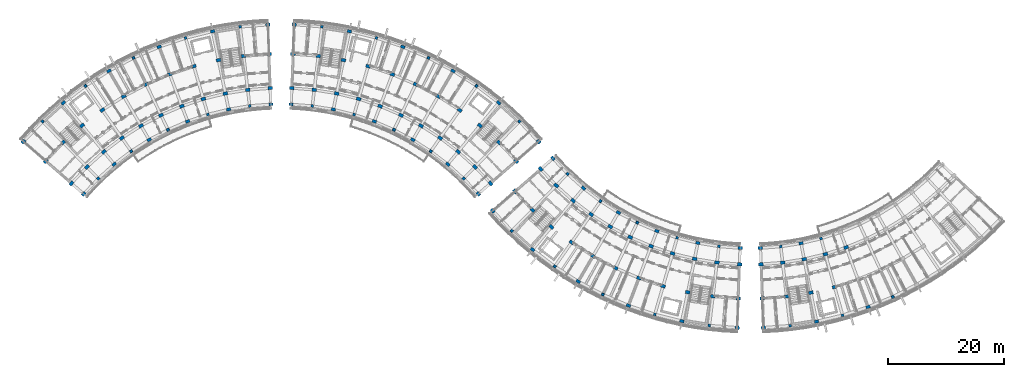
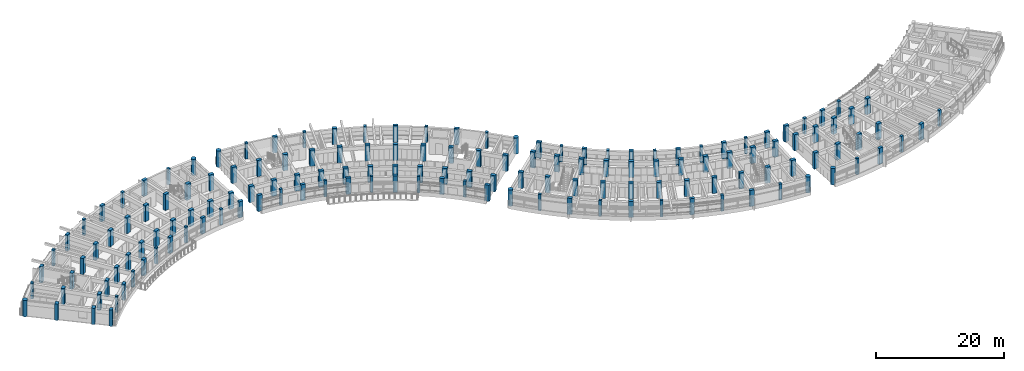
# One storey, part 1 of 56: 151 columns.
"""IFC4 building model written with IfcOpenShell, lengths in metres."""

from ifc_helpers import new_model, si_unit, direction, frame, origin, origin_2d, place, context, subcontext, project, spatial, rectangle, circle, extrude, material, material_profile, profile_set, type_object, element, save


model = new_model("IFC4")

# Units and contexts
model_context = context("Model", 3, precision=1e-05, world=origin(), true_north=direction((0.0, 1.0)))
body_context = subcontext(model_context, "Body", "Model", "MODEL_VIEW")
ifc_project = project(units=[si_unit("LENGTHUNIT", "METRE"), si_unit("AREAUNIT", "SQUARE_METRE"), si_unit("VOLUMEUNIT", "CUBIC_METRE"), si_unit("PLANEANGLEUNIT", "RADIAN"), si_unit("MASSUNIT", "GRAM", prefix="KILO")], contexts=[model_context])

# Site, building, storey
site_placement = place(None, origin())
site = spatial("IfcSite", under=ifc_project, at=site_placement, CompositionType="ELEMENT")
building_placement = place(site_placement, origin())
building = spatial("IfcBuilding", under=site, at=building_placement, Name="Zimvara Arc Housing Community", CompositionType="ELEMENT")
storey_placement = place(building_placement, frame((0.0, 0.0, 11.199951171875)))
storey = spatial("IfcBuildingStorey", under=building, at=storey_placement, Name="L03", CompositionType="ELEMENT", Elevation=11.199951171875)

# Columns
ifc_material_1 = material(Name="Concrete C40/50", Category="concrete")
ifc_material_profile_1 = material_profile(ifc_material_1, rectangle(XDim=0.449951171875, YDim=0.449951171875, at=origin_2d()), Name="RC 450x450")
ifc_profile_set_1 = profile_set([ifc_material_profile_1], Name="Concrete C40/50")
column_type_1 = type_object("IfcColumnType", Name="COL-RC-450x450", PredefinedType="COLUMN", material=ifc_profile_set_1)
for number, where, z_axis, x_axis, name in (
    (1, (13.476318359375, 76.781005859375, 0.0), (0.0, 0.0, 1.0), (-0.698665066769, 0.715448897181, 0.0), "col:blkA:L03:b1:r0"),
    (2, (3.862548828125, 86.625732421875, 0.0), (0.0, 0.0, 1.0), (-0.698665066769, 0.715448897181, 0.0), "col:blkA:L03:b1:r3"),
    (3, (19.14599609375, 81.478271484375, 0.0), (0.0, 0.0, 1.0), (-0.573004420611, 0.819552276527, 0.0), "col:blkA:L03:b3:r0"),
    (4, (11.261474609375, 92.755126953125, 0.0), (0.0, 0.0, 1.0), (-0.573004420611, 0.819552276527, 0.0), "col:blkA:L03:b3:r3"),
    (5, (25.50439453125, 85.190673828125, 0.0), (0.0, 0.0, 1.0), (-0.432085748802, 0.901832526405, 0.0), "col:blkA:L03:b5:r0"),
    (6, (19.558837890625, 97.599853515625, 0.0), (0.0, 0.0, 1.0), (-0.432085748802, 0.901832526405, 0.0), "col:blkA:L03:b5:r3"),
    (7, (32.381591796875, 87.819580078125, 0.0), (0.0, 0.0, 1.0), (-0.27966144946, 0.96009867914, 0.0), "col:blkA:L03:b7:r0"),
    (8, (28.533447265625, 101.030517578125, 0.0), (0.0, 0.0, 1.0), (-0.27966144946, 0.96009867914, 0.0), "col:blkA:L03:b7:r3"),
    (9, (39.594970703125, 89.295166015625, 0.0), (0.0, 0.0, 1.0), (-0.119790293837, 0.992799217114, 0.0), "col:blkA:L03:b9:r0"),
    (10, (37.94677734375, 102.9560546875, 0.0), (0.0, 0.0, 1.0), (-0.119790293837, 0.992799217114, 0.0), "col:blkA:L03:b9:r3"),
    (11, (50.405029296875, 89.295166015625, 0.0), (0.0, 0.0, 1.0), (0.119790293837, 0.992799217114, 0.0), "col:blkB:L03:b1:r0"),
    (12, (52.05322265625, 102.9560546875, 0.0), (0.0, 0.0, 1.0), (0.119790293837, 0.992799217114, 0.0), "col:blkB:L03:b1:r3"),
    (13, (57.618408203125, 87.819580078125, 0.0), (0.0, 0.0, 1.0), (0.27966144946, 0.96009867914, 0.0), "col:blkB:L03:b3:r0"),
    (14, (61.466552734375, 101.030517578125, 0.0), (0.0, 0.0, 1.0), (0.27966144946, 0.96009867914, 0.0), "col:blkB:L03:b3:r3"),
    (15, (64.49560546875, 85.190673828125, 0.0), (0.0, 0.0, 1.0), (0.432085748802, 0.901832526405, 0.0), "col:blkB:L03:b5:r0"),
    (16, (70.441162109375, 97.599853515625, 0.0), (0.0, 0.0, 1.0), (0.432085748802, 0.901832526405, 0.0), "col:blkB:L03:b5:r3"),
    (17, (70.85400390625, 81.478271484375, 0.0), (0.0, 0.0, 1.0), (0.573004420611, 0.819552276527, 0.0), "col:blkB:L03:b7:r0"),
    (18, (78.738525390625, 92.755126953125, 0.0), (0.0, 0.0, 1.0), (0.573004420611, 0.819552276527, 0.0), "col:blkB:L03:b7:r3"),
    (19, (76.523681640625, 76.781005859375, 0.0), (0.0, 0.0, 1.0), (0.698665066769, 0.715448897181, 0.0), "col:blkB:L03:b9:r0"),
    (20, (86.137451171875, 86.625732421875, 0.0), (0.0, 0.0, 1.0), (0.698665066769, 0.715448897181, 0.0), "col:blkB:L03:b9:r3"),
    (21, (94.456298828125, 77.578857421875, 0.0), (0.0, 0.0, 1.0), (-0.698665066769, -0.715448897181, 0.0), "col:blkC:L03:b1:r0"),
    (22, (84.842529296875, 67.734375, 0.0), (0.0, 0.0, 1.0), (-0.698665066769, -0.715448897181, 0.0), "col:blkC:L03:b1:r3"),
    (23, (100.1259765625, 72.8818359375, 0.0), (0.0, 0.0, 1.0), (-0.573004420611, -0.819552276527, 0.0), "col:blkC:L03:b3:r0"),
    (24, (92.241455078125, 61.604736328125, 0.0), (0.0, 0.0, 1.0), (-0.573004420611, -0.819552276527, 0.0), "col:blkC:L03:b3:r3"),
    (25, (106.484375, 69.16943359375, 0.0), (0.0, 0.0, 1.0), (-0.432085748802, -0.901832526405, 0.0), "col:blkC:L03:b5:r0"),
    (26, (100.538818359375, 56.760009765625, 0.0), (0.0, 0.0, 1.0), (-0.432085748802, -0.901832526405, 0.0), "col:blkC:L03:b5:r3"),
    (27, (113.361572265625, 66.540283203125, 0.0), (0.0, 0.0, 1.0), (-0.27966144946, -0.96009867914, 0.0), "col:blkC:L03:b7:r0"),
    (28, (109.513427734375, 53.329345703125, 0.0), (0.0, 0.0, 1.0), (-0.27966144946, -0.96009867914, 0.0), "col:blkC:L03:b7:r3"),
    (29, (120.574951171875, 65.06494140625, 0.0), (0.0, 0.0, 1.0), (-0.119790293837, -0.992799217114, 0.0), "col:blkC:L03:b9:r0"),
    (30, (118.9267578125, 51.404052734375, 0.0), (0.0, 0.0, 1.0), (-0.119790293837, -0.992799217114, 0.0), "col:blkC:L03:b9:r3"),
    (31, (131.244140625, 65.048095703125, 0.0), (0.0, 0.0, 1.0), (0.116670737099, -0.993170649538, 0.0), "col:blkD:L03:b1:r0"),
    (32, (132.849609375, 51.382080078125, 0.0), (0.0, 0.0, 1.0), (0.116670737099, -0.993170649538, 0.0), "col:blkD:L03:b1:r3"),
    (33, (138.189453125, 66.42333984375, 0.0), (0.0, 0.0, 1.0), (0.270600445976, -0.962691746426, 0.0), "col:blkD:L03:b3:r0"),
    (34, (141.912841796875, 53.1767578125, 0.0), (0.0, 0.0, 1.0), (0.270600445976, -0.962691746426, 0.0), "col:blkD:L03:b3:r3"),
    (35, (150.583984375, 56.366943359375, 0.0), (0.0, 0.0, 1.0), (0.417867073801, -0.908508177527, 0.0), "col:blkD:L03:b5:r3"),
):
    element("IfcColumn", number, at=place(storey_placement, frame(where, z_axis=z_axis, x_axis=x_axis)), inside=storey, type_object=column_type_1, Name=name, PredefinedType="COLUMN", context=body_context, shape_type="SweptSolid", body=[
        extrude(rectangle(XDim=0.449951171875, YDim=0.449951171875, at=origin_2d()), origin(), (0.0, 0.0, 1.0), 3.10009765625),
    ])
ifc_material_2 = material(Name="Concrete C40/50", Category="concrete")
ifc_material_profile_2 = material_profile(ifc_material_2, rectangle(XDim=0.5, YDim=0.75, at=origin_2d()), Name="RC 500x750")
ifc_profile_set_2 = profile_set([ifc_material_profile_2], Name="Concrete C40/50")
column_type_2 = type_object("IfcColumnType", Name="COL-RC-500x750", PredefinedType="COLUMN", material=ifc_profile_set_2)
for number, where, z_axis, x_axis, name in (
    (36, (10.947509765625, 74.101318359375, 0.0), (0.0, 0.0, 1.0), (-0.754709580223, 0.656059028991, 0.0), "col:blkA:L03:b0:r0"),
    (37, (16.215087890625, 79.245361328125, 0.0), (0.0, 0.0, 1.0), (-0.637961754089, 0.770068049148, 0.0), "col:blkA:L03:b2:r0"),
    (38, (7.436767578125, 89.841552734375, 0.0), (0.0, 0.0, 1.0), (-0.637961754089, 0.770068049148, 0.0), "col:blkA:L03:b2:r3"),
    (39, (22.249267578125, 83.46435546875, 0.0), (0.0, 0.0, 1.0), (-0.504226211181, 0.863571611366, 0.0), "col:blkA:L03:b4:r0"),
    (40, (15.311279296875, 95.34716796875, 0.0), (0.0, 0.0, 1.0), (-0.504226211181, 0.863571611366, 0.0), "col:blkA:L03:b4:r3"),
    (41, (28.88916015625, 86.645751953125, 0.0), (0.0, 0.0, 1.0), (-0.357064076459, 0.934079892355, 0.0), "col:blkA:L03:b6:r0"),
    (42, (23.97607421875, 99.49853515625, 0.0), (0.0, 0.0, 1.0), (-0.357064076459, 0.934079892355, 0.0), "col:blkA:L03:b6:r3"),
    (43, (35.958251953125, 88.704833984375, 0.0), (0.0, 0.0, 1.0), (-0.200393999665, 0.979715389742, 0.0), "col:blkA:L03:b8:r0"),
    (44, (33.20068359375, 102.185546875, 0.0), (0.0, 0.0, 1.0), (-0.200393999665, 0.979715389742, 0.0), "col:blkA:L03:b8:r3"),
    (45, (43.267822265625, 89.586669921875, 0.0), (0.0, 0.0, 1.0), (-0.038387809088, 0.999262916411, 0.0), "col:blkA:L03:b10:r0"),
    (46, (46.732177734375, 89.586669921875, 0.0), (0.0, 0.0, 1.0), (0.038387809088, 0.999262916411, 0.0), "col:blkB:L03:b0:r0"),
    (47, (54.041748046875, 88.704833984375, 0.0), (0.0, 0.0, 1.0), (0.200393999665, 0.979715389742, 0.0), "col:blkB:L03:b2:r0"),
    (48, (56.79931640625, 102.185546875, 0.0), (0.0, 0.0, 1.0), (0.200393999665, 0.979715389742, 0.0), "col:blkB:L03:b2:r3"),
    (49, (61.11083984375, 86.645751953125, 0.0), (0.0, 0.0, 1.0), (0.357064076459, 0.934079892355, 0.0), "col:blkB:L03:b4:r0"),
    (50, (66.02392578125, 99.49853515625, 0.0), (0.0, 0.0, 1.0), (0.357064076459, 0.934079892355, 0.0), "col:blkB:L03:b4:r3"),
    (51, (67.750732421875, 83.46435546875, 0.0), (0.0, 0.0, 1.0), (0.504226211181, 0.863571611366, 0.0), "col:blkB:L03:b6:r0"),
    (52, (74.688720703125, 95.34716796875, 0.0), (0.0, 0.0, 1.0), (0.504226211181, 0.863571611366, 0.0), "col:blkB:L03:b6:r3"),
    (53, (73.784912109375, 79.245361328125, 0.0), (0.0, 0.0, 1.0), (0.637961754089, 0.770068049148, 0.0), "col:blkB:L03:b8:r0"),
    (54, (82.563232421875, 89.841552734375, 0.0), (0.0, 0.0, 1.0), (0.637961754089, 0.770068049148, 0.0), "col:blkB:L03:b8:r3"),
    (55, (79.052490234375, 74.101318359375, 0.0), (0.0, 0.0, 1.0), (0.754709580223, 0.656059028991, 0.0), "col:blkB:L03:b10:r0"),
    (56, (91.927490234375, 80.258544921875, 0.0), (0.0, 0.0, 1.0), (-0.754709580223, -0.656059028991, 0.0), "col:blkC:L03:b0:r0"),
    (57, (97.195068359375, 75.114501953125, 0.0), (0.0, 0.0, 1.0), (-0.637961754089, -0.770068049148, 0.0), "col:blkC:L03:b2:r0"),
    (58, (88.416748046875, 64.518310546875, 0.0), (0.0, 0.0, 1.0), (-0.637961754089, -0.770068049148, 0.0), "col:blkC:L03:b2:r3"),
    (59, (103.229248046875, 70.895751953125, 0.0), (0.0, 0.0, 1.0), (-0.504226211181, -0.863571611366, 0.0), "col:blkC:L03:b4:r0"),
    (60, (96.291259765625, 59.012939453125, 0.0), (0.0, 0.0, 1.0), (-0.504226211181, -0.863571611366, 0.0), "col:blkC:L03:b4:r3"),
    (61, (109.869384765625, 67.71435546875, 0.0), (0.0, 0.0, 1.0), (-0.357064076459, -0.934079892355, 0.0), "col:blkC:L03:b6:r0"),
    (62, (104.9560546875, 54.861328125, 0.0), (0.0, 0.0, 1.0), (-0.357064076459, -0.934079892355, 0.0), "col:blkC:L03:b6:r3"),
    (63, (116.938232421875, 65.6552734375, 0.0), (0.0, 0.0, 1.0), (-0.200393999665, -0.979715389742, 0.0), "col:blkC:L03:b8:r0"),
    (64, (114.180908203125, 52.17431640625, 0.0), (0.0, 0.0, 1.0), (-0.200393999665, -0.979715389742, 0.0), "col:blkC:L03:b8:r3"),
    (65, (124.248046875, 64.773193359375, 0.0), (0.0, 0.0, 1.0), (-0.038387809088, -0.999262916411, 0.0), "col:blkC:L03:b10:r0"),
    (66, (127.712158203125, 64.773193359375, 0.0), (0.0, 0.0, 1.0), (0.038387809088, -0.999262916411, 0.0), "col:blkD:L03:b0:r0"),
    (67, (134.743896484375, 65.599365234375, 0.0), (0.0, 0.0, 1.0), (0.19423435122, -0.980955155349, 0.0), "col:blkD:L03:b2:r0"),
    (68, (137.41650390625, 52.101318359375, 0.0), (0.0, 0.0, 1.0), (0.19423435122, -0.980955155349, 0.0), "col:blkD:L03:b2:r3"),
    (69, (146.311279296875, 54.6015625, 0.0), (0.0, 0.0, 1.0), (0.345298198999, -0.93849302276, 0.0), "col:blkD:L03:b4:r3"),
):
    element("IfcColumn", number, at=place(storey_placement, frame(where, z_axis=z_axis, x_axis=x_axis)), inside=storey, type_object=column_type_2, Name=name, PredefinedType="COLUMN", context=body_context, shape_type="SweptSolid", body=[
        extrude(rectangle(XDim=0.5, YDim=0.75, at=origin_2d()), origin(), (0.0, 0.0, 1.0), 3.10009765625),
    ])
ifc_material_3 = material(Name="Concrete C40/50", Category="concrete")
ifc_material_profile_3 = material_profile(ifc_material_3, rectangle(XDim=0.550048828125, YDim=0.800048828125, at=origin_2d()), Name="RC 550x800")
ifc_profile_set_3 = profile_set([ifc_material_profile_3], Name="Concrete C40/50")
column_type_3 = type_object("IfcColumnType", Name="COL-RC-550x800", PredefinedType="COLUMN", material=ifc_profile_set_3)
for number, where, z_axis, x_axis, name in (
    (70, (8.834228515625, 75.938232421875, 0.0), (0.0, 0.0, 1.0), (-0.754709580223, 0.656059028991, 0.0), "col:blkA:L03:b0:r1"),
    (71, (4.396728515625, 79.7958984375, 0.0), (0.0, 0.0, 1.0), (-0.754709580223, 0.656059028991, 0.0), "col:blkA:L03:b0:r2"),
    (72, (11.52001953125, 78.784423828125, 0.0), (0.0, 0.0, 1.0), (-0.698665066769, 0.715448897181, 0.0), "col:blkA:L03:b1:r1"),
    (73, (7.411865234375, 82.9912109375, 0.0), (0.0, 0.0, 1.0), (-0.698665066769, 0.715448897181, 0.0), "col:blkA:L03:b1:r2"),
    (74, (14.428955078125, 81.401611328125, 0.0), (0.0, 0.0, 1.0), (-0.637961754089, 0.770068049148, 0.0), "col:blkA:L03:b2:r1"),
    (75, (10.677734375, 85.9296875, 0.0), (0.0, 0.0, 1.0), (-0.637961754089, 0.770068049148, 0.0), "col:blkA:L03:b2:r2"),
    (76, (17.541748046875, 83.77294921875, 0.0), (0.0, 0.0, 1.0), (-0.573004420611, 0.819552276527, 0.0), "col:blkA:L03:b3:r1"),
    (77, (14.17236328125, 88.591796875, 0.0), (0.0, 0.0, 1.0), (-0.573004420611, 0.819552276527, 0.0), "col:blkA:L03:b3:r2"),
    (78, (20.83740234375, 85.88232421875, 0.0), (0.0, 0.0, 1.0), (-0.504226211181, 0.863571611366, 0.0), "col:blkA:L03:b4:r1"),
    (79, (17.87255859375, 90.960205078125, 0.0), (0.0, 0.0, 1.0), (-0.504226211181, 0.863571611366, 0.0), "col:blkA:L03:b4:r2"),
    (80, (24.29443359375, 87.7158203125, 0.0), (0.0, 0.0, 1.0), (-0.432085748802, 0.901832526405, 0.0), "col:blkA:L03:b5:r1"),
    (81, (21.75390625, 93.0185546875, 0.0), (0.0, 0.0, 1.0), (-0.432085748802, 0.901832526405, 0.0), "col:blkA:L03:b5:r2"),
    (82, (27.889404296875, 89.260986328125, 0.0), (0.0, 0.0, 1.0), (-0.357064076459, 0.934079892355, 0.0), "col:blkA:L03:b6:r1"),
    (83, (25.7900390625, 94.75341796875, 0.0), (0.0, 0.0, 1.0), (-0.357064076459, 0.934079892355, 0.0), "col:blkA:L03:b6:r2"),
    (84, (31.5986328125, 90.5078125, 0.0), (0.0, 0.0, 1.0), (-0.27966144946, 0.96009867914, 0.0), "col:blkA:L03:b7:r1"),
    (85, (29.9541015625, 96.1533203125, 0.0), (0.0, 0.0, 1.0), (-0.27966144946, 0.96009867914, 0.0), "col:blkA:L03:b7:r2"),
    (86, (35.397216796875, 91.447998046875, 0.0), (0.0, 0.0, 1.0), (-0.200393999665, 0.979715389742, 0.0), "col:blkA:L03:b8:r1"),
    (87, (34.21875, 97.208740234375, 0.0), (0.0, 0.0, 1.0), (-0.200393999665, 0.979715389742, 0.0), "col:blkA:L03:b8:r2"),
    (88, (39.259765625, 92.074951171875, 0.0), (0.0, 0.0, 1.0), (-0.119790293837, 0.992799217114, 0.0), "col:blkA:L03:b9:r1"),
    (89, (38.55517578125, 97.91259765625, 0.0), (0.0, 0.0, 1.0), (-0.119790293837, 0.992799217114, 0.0), "col:blkA:L03:b9:r2"),
    (90, (43.160400390625, 92.384765625, 0.0), (0.0, 0.0, 1.0), (-0.038387809088, 0.999262916411, 0.0), "col:blkA:L03:b10:r1"),
    (91, (42.934814453125, 98.26025390625, 0.0), (0.0, 0.0, 1.0), (-0.038387809088, 0.999262916411, 0.0), "col:blkA:L03:b10:r2"),
    (92, (46.839599609375, 92.384765625, 0.0), (0.0, 0.0, 1.0), (0.038387809088, 0.999262916411, 0.0), "col:blkB:L03:b0:r1"),
    (93, (47.065185546875, 98.26025390625, 0.0), (0.0, 0.0, 1.0), (0.038387809088, 0.999262916411, 0.0), "col:blkB:L03:b0:r2"),
    (94, (50.740234375, 92.074951171875, 0.0), (0.0, 0.0, 1.0), (0.119790293837, 0.992799217114, 0.0), "col:blkB:L03:b1:r1"),
    (95, (51.44482421875, 97.91259765625, 0.0), (0.0, 0.0, 1.0), (0.119790293837, 0.992799217114, 0.0), "col:blkB:L03:b1:r2"),
    (96, (54.602783203125, 91.447998046875, 0.0), (0.0, 0.0, 1.0), (0.200393999665, 0.979715389742, 0.0), "col:blkB:L03:b2:r1"),
    (97, (55.78125, 97.208740234375, 0.0), (0.0, 0.0, 1.0), (0.200393999665, 0.979715389742, 0.0), "col:blkB:L03:b2:r2"),
    (98, (58.4013671875, 90.5078125, 0.0), (0.0, 0.0, 1.0), (0.27966144946, 0.96009867914, 0.0), "col:blkB:L03:b3:r1"),
    (99, (60.0458984375, 96.1533203125, 0.0), (0.0, 0.0, 1.0), (0.27966144946, 0.96009867914, 0.0), "col:blkB:L03:b3:r2"),
    (100, (62.110595703125, 89.260986328125, 0.0), (0.0, 0.0, 1.0), (0.357064076459, 0.934079892355, 0.0), "col:blkB:L03:b4:r1"),
    (101, (64.2099609375, 94.75341796875, 0.0), (0.0, 0.0, 1.0), (0.357064076459, 0.934079892355, 0.0), "col:blkB:L03:b4:r2"),
    (102, (65.70556640625, 87.7158203125, 0.0), (0.0, 0.0, 1.0), (0.432085748802, 0.901832526405, 0.0), "col:blkB:L03:b5:r1"),
    (103, (68.24609375, 93.0185546875, 0.0), (0.0, 0.0, 1.0), (0.432085748802, 0.901832526405, 0.0), "col:blkB:L03:b5:r2"),
    (104, (69.16259765625, 85.88232421875, 0.0), (0.0, 0.0, 1.0), (0.504226211181, 0.863571611366, 0.0), "col:blkB:L03:b6:r1"),
    (105, (72.12744140625, 90.960205078125, 0.0), (0.0, 0.0, 1.0), (0.504226211181, 0.863571611366, 0.0), "col:blkB:L03:b6:r2"),
    (106, (72.458251953125, 83.77294921875, 0.0), (0.0, 0.0, 1.0), (0.573004420611, 0.819552276527, 0.0), "col:blkB:L03:b7:r1"),
    (107, (75.82763671875, 88.591796875, 0.0), (0.0, 0.0, 1.0), (0.573004420611, 0.819552276527, 0.0), "col:blkB:L03:b7:r2"),
    (108, (75.571044921875, 81.401611328125, 0.0), (0.0, 0.0, 1.0), (0.637961754089, 0.770068049148, 0.0), "col:blkB:L03:b8:r1"),
    (109, (79.322265625, 85.9296875, 0.0), (0.0, 0.0, 1.0), (0.637961754089, 0.770068049148, 0.0), "col:blkB:L03:b8:r2"),
    (110, (78.47998046875, 78.784423828125, 0.0), (0.0, 0.0, 1.0), (0.698665066769, 0.715448897181, 0.0), "col:blkB:L03:b9:r1"),
    (111, (82.588134765625, 82.9912109375, 0.0), (0.0, 0.0, 1.0), (0.698665066769, 0.715448897181, 0.0), "col:blkB:L03:b9:r2"),
    (112, (81.165771484375, 75.938232421875, 0.0), (0.0, 0.0, 1.0), (0.754709580223, 0.656059028991, 0.0), "col:blkB:L03:b10:r1"),
    (113, (85.603271484375, 79.7958984375, 0.0), (0.0, 0.0, 1.0), (0.754709580223, 0.656059028991, 0.0), "col:blkB:L03:b10:r2"),
    (114, (89.814208984375, 78.421630859375, 0.0), (0.0, 0.0, 1.0), (-0.754709580223, -0.656059028991, 0.0), "col:blkC:L03:b0:r1"),
    (115, (85.376708984375, 74.56396484375, 0.0), (0.0, 0.0, 1.0), (-0.754709580223, -0.656059028991, 0.0), "col:blkC:L03:b0:r2"),
    (116, (92.5, 75.57568359375, 0.0), (0.0, 0.0, 1.0), (-0.698665066769, -0.715448897181, 0.0), "col:blkC:L03:b1:r1"),
    (117, (88.391845703125, 71.368896484375, 0.0), (0.0, 0.0, 1.0), (-0.698665066769, -0.715448897181, 0.0), "col:blkC:L03:b1:r2"),
    (118, (95.408935546875, 72.958251953125, 0.0), (0.0, 0.0, 1.0), (-0.637961754089, -0.770068049148, 0.0), "col:blkC:L03:b2:r1"),
    (119, (91.65771484375, 68.430419921875, 0.0), (0.0, 0.0, 1.0), (-0.637961754089, -0.770068049148, 0.0), "col:blkC:L03:b2:r2"),
    (120, (98.521728515625, 70.587158203125, 0.0), (0.0, 0.0, 1.0), (-0.573004420611, -0.819552276527, 0.0), "col:blkC:L03:b3:r1"),
    (121, (95.15234375, 65.76806640625, 0.0), (0.0, 0.0, 1.0), (-0.573004420611, -0.819552276527, 0.0), "col:blkC:L03:b3:r2"),
    (122, (101.8173828125, 68.4775390625, 0.0), (0.0, 0.0, 1.0), (-0.504226211181, -0.863571611366, 0.0), "col:blkC:L03:b4:r1"),
    (123, (98.8525390625, 63.39990234375, 0.0), (0.0, 0.0, 1.0), (-0.504226211181, -0.863571611366, 0.0), "col:blkC:L03:b4:r2"),
    (124, (105.2744140625, 66.644287109375, 0.0), (0.0, 0.0, 1.0), (-0.432085748802, -0.901832526405, 0.0), "col:blkC:L03:b5:r1"),
    (125, (102.73388671875, 61.34130859375, 0.0), (0.0, 0.0, 1.0), (-0.432085748802, -0.901832526405, 0.0), "col:blkC:L03:b5:r2"),
    (126, (108.869384765625, 65.098876953125, 0.0), (0.0, 0.0, 1.0), (-0.357064076459, -0.934079892355, 0.0), "col:blkC:L03:b6:r1"),
    (127, (106.77001953125, 59.6064453125, 0.0), (0.0, 0.0, 1.0), (-0.357064076459, -0.934079892355, 0.0), "col:blkC:L03:b6:r2"),
    (128, (112.57861328125, 63.85205078125, 0.0), (0.0, 0.0, 1.0), (-0.27966144946, -0.96009867914, 0.0), "col:blkC:L03:b7:r1"),
    (129, (110.934326171875, 58.206787109375, 0.0), (0.0, 0.0, 1.0), (-0.27966144946, -0.96009867914, 0.0), "col:blkC:L03:b7:r2"),
    (130, (116.377197265625, 62.912109375, 0.0), (0.0, 0.0, 1.0), (-0.200393999665, -0.979715389742, 0.0), "col:blkC:L03:b8:r1"),
    (131, (115.19873046875, 57.1513671875, 0.0), (0.0, 0.0, 1.0), (-0.200393999665, -0.979715389742, 0.0), "col:blkC:L03:b8:r2"),
    (132, (120.23974609375, 62.28515625, 0.0), (0.0, 0.0, 1.0), (-0.119790293837, -0.992799217114, 0.0), "col:blkC:L03:b9:r1"),
    (133, (119.535400390625, 56.447509765625, 0.0), (0.0, 0.0, 1.0), (-0.119790293837, -0.992799217114, 0.0), "col:blkC:L03:b9:r2"),
    (134, (124.140380859375, 61.975341796875, 0.0), (0.0, 0.0, 1.0), (-0.038387809088, -0.999262916411, 0.0), "col:blkC:L03:b10:r1"),
    (135, (123.914794921875, 56.099609375, 0.0), (0.0, 0.0, 1.0), (-0.038387809088, -0.999262916411, 0.0), "col:blkC:L03:b10:r2"),
    (136, (127.819580078125, 61.975341796875, 0.0), (0.0, 0.0, 1.0), (0.038387809088, -0.999262916411, 0.0), "col:blkD:L03:b0:r1"),
    (137, (128.045166015625, 56.099609375, 0.0), (0.0, 0.0, 1.0), (0.038387809088, -0.999262916411, 0.0), "col:blkD:L03:b0:r2"),
    (138, (131.57080078125, 62.267333984375, 0.0), (0.0, 0.0, 1.0), (0.116670737099, -0.993170649538, 0.0), "col:blkD:L03:b1:r1"),
    (139, (132.2568359375, 56.427490234375, 0.0), (0.0, 0.0, 1.0), (0.116670737099, -0.993170649538, 0.0), "col:blkD:L03:b1:r2"),
    (140, (135.28759765625, 62.8525390625, 0.0), (0.0, 0.0, 1.0), (0.19423435122, -0.980955155349, 0.0), "col:blkD:L03:b2:r1"),
    (141, (136.4296875, 57.084716796875, 0.0), (0.0, 0.0, 1.0), (0.19423435122, -0.980955155349, 0.0), "col:blkD:L03:b2:r2"),
    (142, (138.947265625, 63.727783203125, 0.0), (0.0, 0.0, 1.0), (0.270600445976, -0.962691746426, 0.0), "col:blkD:L03:b3:r1"),
    (143, (140.538330078125, 58.067138671875, 0.0), (0.0, 0.0, 1.0), (0.270600445976, -0.962691746426, 0.0), "col:blkD:L03:b3:r2"),
    (144, (142.526611328125, 64.887451171875, 0.0), (0.0, 0.0, 1.0), (0.345298198999, -0.93849302276, 0.0), "col:blkD:L03:b4:r1"),
):
    element("IfcColumn", number, at=place(storey_placement, frame(where, z_axis=z_axis, x_axis=x_axis)), inside=storey, type_object=column_type_3, Name=name, PredefinedType="COLUMN", context=body_context, shape_type="SweptSolid", body=[
        extrude(rectangle(XDim=0.550048828125, YDim=0.800048828125, at=origin_2d()), origin(), (0.0, 0.0, 1.0), 3.10009765625),
    ])
ifc_material_4 = material(Name="Concrete C40/50", Category="concrete")
ifc_material_profile_4 = material_profile(ifc_material_4, circle(Radius=0.39990234375, at=origin_2d()), Name="RC D800")
ifc_profile_set_4 = profile_set([ifc_material_profile_4], Name="Concrete C40/50")
column_type_4 = type_object("IfcColumnType", Name="COL-RC-D700", PredefinedType="COLUMN", material=ifc_profile_set_4)
for number, where, z_axis, x_axis, name in (
    (145, (0.562744140625, 83.128662109375, 0.0), (0.0, 0.0, 1.0), (-0.754709580223, 0.656059028991, 0.0), "col:blkA:L03:b0:r3"),
    (146, (42.73974609375, 103.336669921875, 0.0), (0.0, 0.0, 1.0), (-0.038387809088, 0.999262916411, 0.0), "col:blkA:L03:b10:r3"),
    (147, (47.26025390625, 103.336669921875, 0.0), (0.0, 0.0, 1.0), (0.038387809088, 0.999262916411, 0.0), "col:blkB:L03:b0:r3"),
    (148, (89.437255859375, 83.128662109375, 0.0), (0.0, 0.0, 1.0), (0.754709580223, 0.656059028991, 0.0), "col:blkB:L03:b10:r3"),
    (149, (81.542724609375, 71.231201171875, 0.0), (0.0, 0.0, 1.0), (-0.754709580223, -0.656059028991, 0.0), "col:blkC:L03:b0:r3"),
    (150, (123.7197265625, 51.0234375, 0.0), (0.0, 0.0, 1.0), (-0.038387809088, -0.999262916411, 0.0), "col:blkC:L03:b10:r3"),
    (151, (128.240234375, 51.0234375, 0.0), (0.0, 0.0, 1.0), (0.038387809088, -0.999262916411, 0.0), "col:blkD:L03:b0:r3"),
):
    element("IfcColumn", number, at=place(storey_placement, frame(where, z_axis=z_axis, x_axis=x_axis)), inside=storey, type_object=column_type_4, Name=name, PredefinedType="COLUMN", context=body_context, shape_type="SweptSolid", body=[
        extrude(circle(Radius=0.39990234375, at=origin_2d()), origin(), (0.0, 0.0, 1.0), 3.10009765625),
    ])

save(model, "model.ifc")
